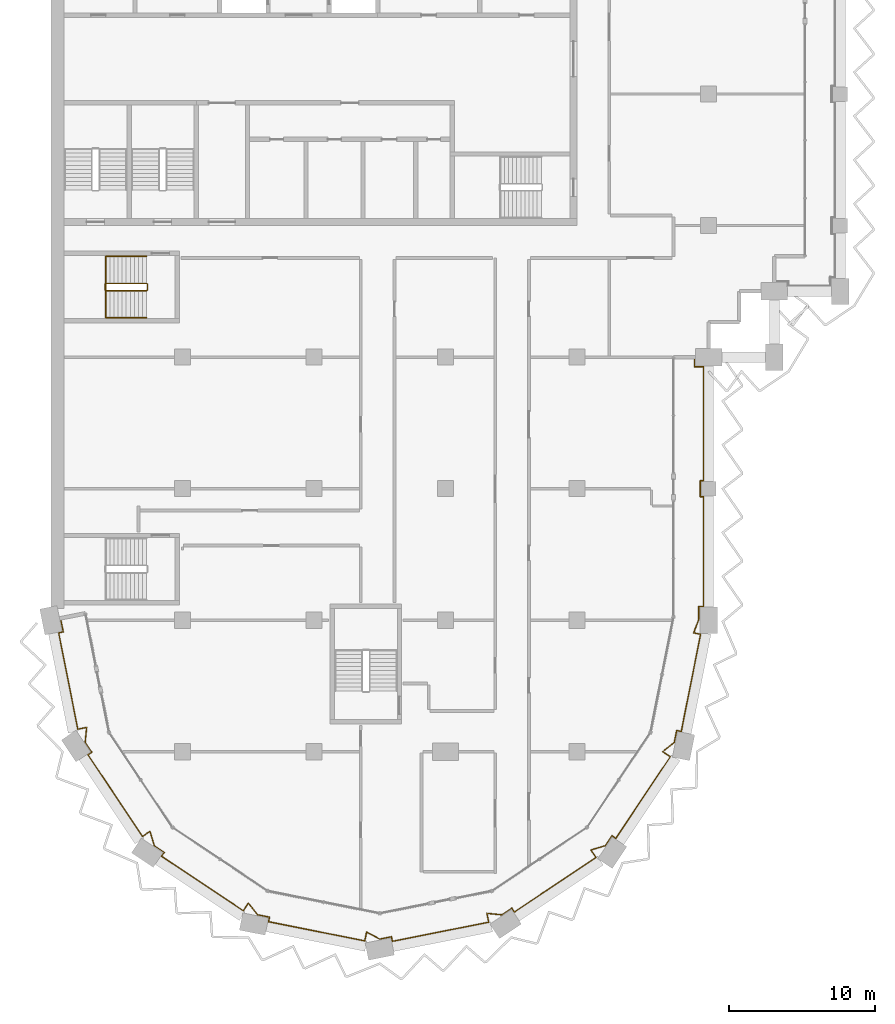
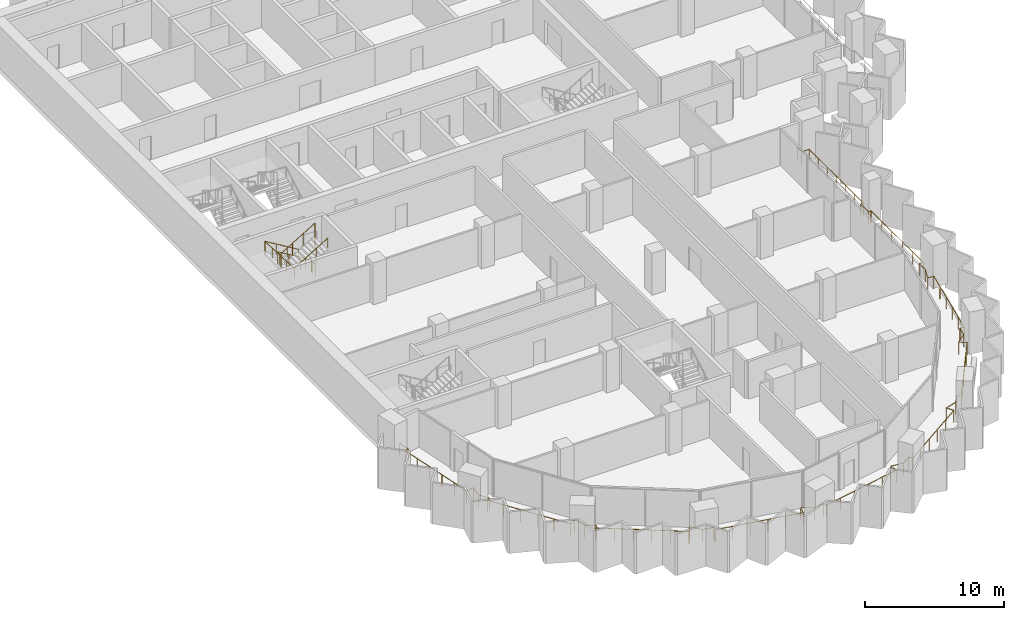
# One storey, part 15 of 17: 3 railings.
"""IFC4 building model written with IfcOpenShell, lengths in metres."""

from ifc_helpers import new_model, si_unit, direction, frame, origin, origin_2d, place, context, subcontext, project, spatial, circle, extrude, material, type_object, element, save


model = new_model("IFC4")

# Units and contexts
model_context = context("Model", 3, precision=1e-05, world=origin(), true_north=direction((0.0, 1.0)))
body_context = subcontext(model_context, "Body", "Model", "MODEL_VIEW")
ifc_project = project(units=[si_unit("LENGTHUNIT", "METRE"), si_unit("AREAUNIT", "SQUARE_METRE"), si_unit("VOLUMEUNIT", "CUBIC_METRE"), si_unit("PLANEANGLEUNIT", "RADIAN"), si_unit("MASSUNIT", "GRAM", prefix="KILO")], contexts=[model_context])

# Site, building, storey
site_placement = place(None, origin())
site = spatial("IfcSite", under=ifc_project, at=site_placement, CompositionType="ELEMENT")
building_placement = place(site_placement, origin())
building = spatial("IfcBuilding", under=site, at=building_placement, Name="Hunhe Ridgeline Campus", CompositionType="ELEMENT")
storey_placement = place(building_placement, frame((0.0, 0.0, 212.39990234375)))
storey = spatial("IfcBuildingStorey", under=building, at=storey_placement, Name="L54", CompositionType="ELEMENT", Elevation=212.39990234375)

# Railings
ifc_material_1 = material(Name="Steel Q355", Category="steel")
railing_type_1 = type_object("IfcRailingType", Name="Loggia guard 1100 Steel Q355", PredefinedType="GUARDRAIL", material=ifc_material_1)
railing_1_placement = place(storey_placement, frame((0.6572265625, 36.130615234375, 0.0)))
element("IfcRailing", 1, at=railing_1_placement, inside=storey, type_object=railing_type_1, Name="Loggia guard 1", PredefinedType="GUARDRAIL", context=body_context, shape_type="SweptSolid", body=[
    extrude(circle(Radius=0.02392578125, at=origin_2d()), frame((0.0, 0.0, 1.076171875), z_axis=(0.195078060519, -0.980787719287, 0.0), x_axis=(0.980787719287, 0.195078060519, 0.0)), (0.0, 0.0, 1.0), 0.949951171875),
    extrude(circle(Radius=0.02392578125, at=origin_2d()), frame((0.185302734375, -0.931640625, 1.076171875), z_axis=(-0.980756274917, -0.195236085831, 0.0), x_axis=(0.195236085831, -0.980756274917, 0.0)), (0.0, 0.0, 1.0), 0.320068359375),
    extrude(circle(Radius=0.02392578125, at=origin_2d()), frame((-0.128662109375, -0.994140625, 1.076171875), z_axis=(0.195081688297, -0.980786997717, 0.0), x_axis=(0.980786997717, 0.195081688297, 0.0)), (0.0, 0.0, 1.0), 6.718017578125),
    extrude(circle(Radius=0.02392578125, at=origin_2d()), frame((1.181884765625, -7.5830078125, 1.076171875), z_axis=(0.980747227858, 0.195281527671, 0.0), x_axis=(-0.195281527671, 0.980747227858, 0.0)), (0.0, 0.0, 1.0), 0.618896484375),
    extrude(circle(Radius=0.02392578125, at=origin_2d()), frame((1.788818359375, -7.462158203125, 1.076171875), z_axis=(-0.100047453171, -0.99498266674, 0.0), x_axis=(0.99498266674, -0.100047453171, 0.0)), (0.0, 0.0, 1.0), 1.0224609375),
    extrude(circle(Radius=0.02392578125, at=origin_2d()), frame((1.6865234375, -8.4794921875, 1.076171875), z_axis=(0.555596479569, -0.83145207432, 0.0), x_axis=(0.83145207432, 0.555596479569, 0.0)), (0.0, 0.0, 1.0), 0.81689453125),
    extrude(circle(Radius=0.02392578125, at=origin_2d()), frame((2.140380859375, -9.15869140625, 1.076171875), z_axis=(-0.831580508376, -0.555404229448, 0.0), x_axis=(0.555404229448, -0.831580508376, 0.0)), (0.0, 0.0, 1.0), 0.320068359375),
    extrude(circle(Radius=0.02392578125, at=origin_2d()), frame((1.874267578125, -9.33642578125, 1.076171875), z_axis=(0.555588848626, -0.831457173451, 0.0), x_axis=(0.831457173451, 0.555588848626, 0.0)), (0.0, 0.0, 1.0), 6.718017578125),
    extrude(circle(Radius=0.02392578125, at=origin_2d()), frame((5.606689453125, -14.922119140625, 1.076171875), z_axis=(0.831442704119, 0.555610501851, 0.0), x_axis=(-0.555610501851, 0.831442704119, 0.0)), (0.0, 0.0, 1.0), 0.61865234375),
    extrude(circle(Radius=0.02392578125, at=origin_2d()), frame((6.12109375, -14.578369140625, 1.076171875), z_axis=(0.28844300651, -0.957497066312, 0.0), x_axis=(0.957497066312, 0.28844300651, 0.0)), (0.0, 0.0, 1.0), 1.0224609375),
    extrude(circle(Radius=0.02392578125, at=origin_2d()), frame((6.416015625, -15.557373046875, 1.076171875), z_axis=(0.831359782977, -0.55573456906, 0.0), x_axis=(0.55573456906, 0.831359782977, 0.0)), (0.0, 0.0, 1.0), 0.816650390625),
    extrude(circle(Radius=0.02392578125, at=origin_2d()), frame((7.094970703125, -16.01123046875, 1.076171875), z_axis=(-0.555404229448, -0.831580508376, 0.0), x_axis=(0.831580508376, -0.555404229448, 0.0)), (0.0, 0.0, 1.0), 0.320068359375),
    extrude(circle(Radius=0.02392578125, at=origin_2d()), frame((6.917236328125, -16.27734375, 1.076171875), z_axis=(0.831473961305, -0.555563724222, 0.0), x_axis=(0.555563724222, 0.831473961305, 0.0)), (0.0, 0.0, 1.0), 6.7177734375),
    extrude(circle(Radius=0.02392578125, at=origin_2d()), frame((12.5029296875, -20.009521484375, 1.076171875), z_axis=(0.555610501851, 0.831442704119, 0.0), x_axis=(-0.831442704119, 0.555610501851, 0.0)), (0.0, 0.0, 1.0), 0.61865234375),
    extrude(circle(Radius=0.02392578125, at=origin_2d()), frame((12.8466796875, -19.4951171875, 1.076171875), z_axis=(0.63289971186, -0.774233785576, 0.0), x_axis=(0.774233785576, 0.63289971186, 0.0)), (0.0, 0.0, 1.0), 1.022705078125),
    extrude(circle(Radius=0.02392578125, at=origin_2d()), frame((13.493896484375, -20.286865234375, 1.076171875), z_axis=(0.980821383877, -0.194908729743, 0.0), x_axis=(0.194908729743, 0.980821383877, 0.0)), (0.0, 0.0, 1.0), 0.816650390625),
    extrude(circle(Radius=0.02392578125, at=origin_2d()), frame((14.294921875, -20.446044921875, 1.076171875), z_axis=(-0.195236085831, -0.980756274917, 0.0), x_axis=(0.980756274917, -0.195236085831, 0.0)), (0.0, 0.0, 1.0), 0.320068359375),
    extrude(circle(Radius=0.02392578125, at=origin_2d()), frame((14.232421875, -20.760009765625, 1.076171875), z_axis=(0.980786997717, -0.195081688297, 0.0), x_axis=(0.195081688297, 0.980786997717, 0.0)), (0.0, 0.0, 1.0), 6.718017578125),
    extrude(circle(Radius=0.02392578125, at=origin_2d()), frame((20.8212890625, -22.070556640625, 1.076171875), z_axis=(0.194902020226, 0.980822717168, 0.0), x_axis=(-0.980822717168, 0.194902020226, 0.0)), (0.0, 0.0, 1.0), 0.618896484375),
    extrude(circle(Radius=0.02392578125, at=origin_2d()), frame((20.94189453125, -21.463623046875, 1.076171875), z_axis=(0.880961256043, -0.473188403652, 0.0), x_axis=(0.473188403652, 0.880961256043, 0.0)), (0.0, 0.0, 1.0), 1.022705078125),
    extrude(circle(Radius=0.02392578125, at=origin_2d()), frame((21.8427734375, -21.947509765625, 1.076171875), z_axis=(0.980764196543, 0.195196287822, 0.0), x_axis=(-0.195196287822, 0.980764196543, 0.0)), (0.0, 0.0, 1.0), 0.816650390625),
    extrude(circle(Radius=0.02392578125, at=origin_2d()), frame((22.643798828125, -21.7880859375, 1.076171875), z_axis=(0.195236085831, -0.980756274917, 0.0), x_axis=(0.980756274917, 0.195236085831, 0.0)), (0.0, 0.0, 1.0), 0.320068359375),
    extrude(circle(Radius=0.02392578125, at=origin_2d()), frame((22.706298828125, -22.10205078125, 1.076171875), z_axis=(0.980786997717, 0.195081688297, 0.0), x_axis=(-0.195081688297, 0.980786997717, 0.0)), (0.0, 0.0, 1.0), 6.718017578125),
    extrude(circle(Radius=0.02392578125, at=origin_2d()), frame((29.295166015625, -20.79150390625, 1.076171875), z_axis=(-0.195281527671, 0.980747227858, 0.0), x_axis=(-0.980747227858, -0.195281527671, 0.0)), (0.0, 0.0, 1.0), 0.618896484375),
    extrude(circle(Radius=0.02392578125, at=origin_2d()), frame((29.17431640625, -20.1845703125, 1.076171875), z_axis=(0.99498266674, -0.100047453171, 0.0), x_axis=(0.100047453171, 0.99498266674, 0.0)), (0.0, 0.0, 1.0), 1.0224609375),
    extrude(circle(Radius=0.02392578125, at=origin_2d()), frame((30.191650390625, -20.286865234375, 1.076171875), z_axis=(0.83145207432, 0.555596479569, 0.0), x_axis=(-0.555596479569, 0.83145207432, 0.0)), (0.0, 0.0, 1.0), 0.81689453125),
    extrude(circle(Radius=0.02392578125, at=origin_2d()), frame((30.870849609375, -19.8330078125, 1.076171875), z_axis=(0.555404229448, -0.831580508376, 0.0), x_axis=(0.831580508376, 0.555404229448, 0.0)), (0.0, 0.0, 1.0), 0.320068359375),
    extrude(circle(Radius=0.02392578125, at=origin_2d()), frame((31.048583984375, -20.09912109375, 1.076171875), z_axis=(0.831457173451, 0.555588848626, 0.0), x_axis=(-0.555588848626, 0.831457173451, 0.0)), (0.0, 0.0, 1.0), 6.718017578125),
    extrude(circle(Radius=0.02392578125, at=origin_2d()), frame((36.63427734375, -16.36669921875, 1.076171875), z_axis=(-0.555610501851, 0.831442704119, 0.0), x_axis=(-0.831442704119, -0.555610501851, 0.0)), (0.0, 0.0, 1.0), 0.61865234375),
    extrude(circle(Radius=0.02392578125, at=origin_2d()), frame((36.29052734375, -15.852294921875, 1.076171875), z_axis=(0.957497066312, 0.28844300651, 0.0), x_axis=(-0.28844300651, 0.957497066312, 0.0)), (0.0, 0.0, 1.0), 1.0224609375),
    extrude(circle(Radius=0.02392578125, at=origin_2d()), frame((37.26953125, -15.557373046875, 1.076171875), z_axis=(0.55573456906, 0.831359782977, 0.0), x_axis=(-0.831359782977, 0.55573456906, 0.0)), (0.0, 0.0, 1.0), 0.816650390625),
    extrude(circle(Radius=0.02392578125, at=origin_2d()), frame((37.723388671875, -14.87841796875, 1.076171875), z_axis=(0.831580508376, -0.555404229448, 0.0), x_axis=(0.555404229448, 0.831580508376, 0.0)), (0.0, 0.0, 1.0), 0.320068359375),
    extrude(circle(Radius=0.02392578125, at=origin_2d()), frame((37.989501953125, -15.05615234375, 1.076171875), z_axis=(0.555563724222, 0.831473961305, 0.0), x_axis=(-0.831473961305, 0.555563724222, 0.0)), (0.0, 0.0, 1.0), 6.7177734375),
    extrude(circle(Radius=0.02392578125, at=origin_2d()), frame((41.7216796875, -9.470458984375, 1.076171875), z_axis=(-0.831442704119, 0.555610501851, 0.0), x_axis=(-0.555610501851, -0.831442704119, 0.0)), (0.0, 0.0, 1.0), 0.61865234375),
    extrude(circle(Radius=0.02392578125, at=origin_2d()), frame((41.207275390625, -9.126708984375, 1.076171875), z_axis=(0.774233785576, 0.63289971186, 0.0), x_axis=(-0.63289971186, 0.774233785576, 0.0)), (0.0, 0.0, 1.0), 1.022705078125),
    extrude(circle(Radius=0.02392578125, at=origin_2d()), frame((41.9990234375, -8.4794921875, 1.076171875), z_axis=(0.194908729743, 0.980821383877, 0.0), x_axis=(-0.980821383877, 0.194908729743, 0.0)), (0.0, 0.0, 1.0), 0.816650390625),
    extrude(circle(Radius=0.02392578125, at=origin_2d()), frame((42.158203125, -7.678466796875, 1.076171875), z_axis=(0.980756274917, -0.195236085831, 0.0), x_axis=(0.195236085831, 0.980756274917, 0.0)), (0.0, 0.0, 1.0), 0.320068359375),
    extrude(circle(Radius=0.02392578125, at=origin_2d()), frame((42.47216796875, -7.740966796875, 1.076171875), z_axis=(0.195084106665, 0.980786516693, 0.0), x_axis=(-0.980786516693, 0.195084106665, 0.0)), (0.0, 0.0, 1.0), 6.779296875),
    extrude(circle(Radius=0.02392578125, at=origin_2d()), frame((43.794677734375, -1.092041015625, 1.076171875), z_axis=(-0.980754922768, 0.195242878144, 0.0), x_axis=(-0.195242878144, -0.980754922768, 0.0)), (0.0, 0.0, 1.0), 0.48388671875),
    extrude(circle(Radius=0.02392578125, at=origin_2d()), frame((43.320068359375, -0.99755859375, 1.076171875), z_axis=(0.353724256779, 0.93534974751, 0.0), x_axis=(-0.93534974751, 0.353724256779, 0.0)), (0.0, 0.0, 1.0), 0.997314453125),
    extrude(circle(Radius=0.02392578125, at=origin_2d()), frame((43.6728515625, -0.064697265625, 1.076171875), z_axis=(0.0, 1.0, 0.0), x_axis=(-1.0, 0.0, 0.0)), (0.0, 0.0, 1.0), 0.884033203125),
    extrude(circle(Radius=0.02392578125, at=origin_2d()), frame((43.6728515625, 0.8193359375, 1.076171875), z_axis=(1.0, 0.0, 0.0), x_axis=(0.0, 1.0, 0.0)), (0.0, 0.0, 1.0), 0.31982421875),
    extrude(circle(Radius=0.02392578125, at=origin_2d()), frame((43.99267578125, 0.8193359375, 1.076171875), z_axis=(0.0, 1.0, 0.0), x_axis=(-1.0, 0.0, 0.0)), (0.0, 0.0, 1.0), 7.5),
    extrude(circle(Radius=0.02392578125, at=origin_2d()), frame((43.99267578125, 8.3193359375, 1.076171875), z_axis=(-1.0, 0.0, 0.0), x_axis=(0.0, -1.0, 0.0)), (0.0, 0.0, 1.0), 0.219970703125),
    extrude(circle(Radius=0.02392578125, at=origin_2d()), frame((43.772705078125, 8.3193359375, 1.076171875), z_axis=(0.0, 1.0, 0.0), x_axis=(-1.0, 0.0, 0.0)), (0.0, 0.0, 1.0), 1.10009765625),
    extrude(circle(Radius=0.02392578125, at=origin_2d()), frame((43.772705078125, 9.41943359375, 1.076171875), z_axis=(1.0, 0.0, 0.0), x_axis=(0.0, 1.0, 0.0)), (0.0, 0.0, 1.0), 0.219970703125),
    extrude(circle(Radius=0.02392578125, at=origin_2d()), frame((43.99267578125, 9.41943359375, 1.076171875), z_axis=(0.0, 1.0, 0.0), x_axis=(-1.0, 0.0, 0.0)), (0.0, 0.0, 1.0), 7.800048828125),
    extrude(circle(Radius=0.02392578125, at=origin_2d()), frame((43.99267578125, 17.219482421875, 1.076171875), z_axis=(-1.0, 0.0, 0.0), x_axis=(0.0, -1.0, 0.0)), (0.0, 0.0, 1.0), 0.619873046875),
    extrude(circle(Radius=0.02392578125, at=origin_2d()), frame((43.372802734375, 17.219482421875, 1.076171875), z_axis=(0.0, 1.0, 0.0), x_axis=(-1.0, 0.0, 0.0)), (0.0, 0.0, 1.0), 0.64990234375),
    extrude(circle(Radius=0.02099609375, at=origin_2d()), origin(), (0.0, 0.0, 1.0), 1.052001953125),
    extrude(circle(Radius=0.02099609375, at=origin_2d()), frame((0.185302734375, -0.931640625, 0.0)), (0.0, 0.0, 1.0), 1.052001953125),
    extrude(circle(Radius=0.02099609375, at=origin_2d()), frame((-0.128662109375, -0.994140625, 0.0)), (0.0, 0.0, 1.0), 1.052001953125),
    extrude(circle(Radius=0.02099609375, at=origin_2d()), frame((0.133544921875, -2.31201171875, 0.0)), (0.0, 0.0, 1.0), 1.052001953125),
    extrude(circle(Radius=0.02099609375, at=origin_2d()), frame((0.3955078125, -3.629638671875, 0.0)), (0.0, 0.0, 1.0), 1.052001953125),
    extrude(circle(Radius=0.02099609375, at=origin_2d()), frame((0.65771484375, -4.947509765625, 0.0)), (0.0, 0.0, 1.0), 1.052001953125),
    extrude(circle(Radius=0.02099609375, at=origin_2d()), frame((0.919677734375, -6.26513671875, 0.0)), (0.0, 0.0, 1.0), 1.052001953125),
    extrude(circle(Radius=0.02099609375, at=origin_2d()), frame((1.181884765625, -7.5830078125, 0.0)), (0.0, 0.0, 1.0), 1.052001953125),
    extrude(circle(Radius=0.02099609375, at=origin_2d()), frame((1.788818359375, -7.462158203125, 0.0)), (0.0, 0.0, 1.0), 1.052001953125),
    extrude(circle(Radius=0.02099609375, at=origin_2d()), frame((1.6865234375, -8.4794921875, 0.0)), (0.0, 0.0, 1.0), 1.052001953125),
    extrude(circle(Radius=0.02099609375, at=origin_2d()), frame((2.140380859375, -9.15869140625, 0.0)), (0.0, 0.0, 1.0), 1.052001953125),
    extrude(circle(Radius=0.02099609375, at=origin_2d()), frame((1.874267578125, -9.33642578125, 0.0)), (0.0, 0.0, 1.0), 1.052001953125),
    extrude(circle(Radius=0.02099609375, at=origin_2d()), frame((2.620849609375, -10.45361328125, 0.0)), (0.0, 0.0, 1.0), 1.052001953125),
    extrude(circle(Radius=0.02099609375, at=origin_2d()), frame((3.3671875, -11.57080078125, 0.0)), (0.0, 0.0, 1.0), 1.052001953125),
    extrude(circle(Radius=0.02099609375, at=origin_2d()), frame((4.11376953125, -12.687744140625, 0.0)), (0.0, 0.0, 1.0), 1.052001953125),
    extrude(circle(Radius=0.02099609375, at=origin_2d()), frame((4.860107421875, -13.804931640625, 0.0)), (0.0, 0.0, 1.0), 1.052001953125),
    extrude(circle(Radius=0.02099609375, at=origin_2d()), frame((5.606689453125, -14.922119140625, 0.0)), (0.0, 0.0, 1.0), 1.052001953125),
    extrude(circle(Radius=0.02099609375, at=origin_2d()), frame((6.12109375, -14.578369140625, 0.0)), (0.0, 0.0, 1.0), 1.052001953125),
    extrude(circle(Radius=0.02099609375, at=origin_2d()), frame((6.416015625, -15.557373046875, 0.0)), (0.0, 0.0, 1.0), 1.052001953125),
    extrude(circle(Radius=0.02099609375, at=origin_2d()), frame((7.094970703125, -16.01123046875, 0.0)), (0.0, 0.0, 1.0), 1.052001953125),
    extrude(circle(Radius=0.02099609375, at=origin_2d()), frame((6.917236328125, -16.27734375, 0.0)), (0.0, 0.0, 1.0), 1.052001953125),
    extrude(circle(Radius=0.02099609375, at=origin_2d()), frame((8.034423828125, -17.023681640625, 0.0)), (0.0, 0.0, 1.0), 1.052001953125),
    extrude(circle(Radius=0.02099609375, at=origin_2d()), frame((9.151611328125, -17.770263671875, 0.0)), (0.0, 0.0, 1.0), 1.052001953125),
    extrude(circle(Radius=0.02099609375, at=origin_2d()), frame((10.2685546875, -18.5166015625, 0.0)), (0.0, 0.0, 1.0), 1.052001953125),
    extrude(circle(Radius=0.02099609375, at=origin_2d()), frame((11.3857421875, -19.26318359375, 0.0)), (0.0, 0.0, 1.0), 1.052001953125),
    extrude(circle(Radius=0.02099609375, at=origin_2d()), frame((12.5029296875, -20.009521484375, 0.0)), (0.0, 0.0, 1.0), 1.052001953125),
    extrude(circle(Radius=0.02099609375, at=origin_2d()), frame((12.8466796875, -19.4951171875, 0.0)), (0.0, 0.0, 1.0), 1.052001953125),
    extrude(circle(Radius=0.02099609375, at=origin_2d()), frame((13.493896484375, -20.286865234375, 0.0)), (0.0, 0.0, 1.0), 1.052001953125),
    extrude(circle(Radius=0.02099609375, at=origin_2d()), frame((14.294921875, -20.446044921875, 0.0)), (0.0, 0.0, 1.0), 1.052001953125),
    extrude(circle(Radius=0.02099609375, at=origin_2d()), frame((14.232421875, -20.760009765625, 0.0)), (0.0, 0.0, 1.0), 1.052001953125),
    extrude(circle(Radius=0.02099609375, at=origin_2d()), frame((15.55029296875, -21.022216796875, 0.0)), (0.0, 0.0, 1.0), 1.052001953125),
    extrude(circle(Radius=0.02099609375, at=origin_2d()), frame((16.867919921875, -21.2841796875, 0.0)), (0.0, 0.0, 1.0), 1.052001953125),
    extrude(circle(Radius=0.02099609375, at=origin_2d()), frame((18.185791015625, -21.54638671875, 0.0)), (0.0, 0.0, 1.0), 1.052001953125),
    extrude(circle(Radius=0.02099609375, at=origin_2d()), frame((19.50341796875, -21.808349609375, 0.0)), (0.0, 0.0, 1.0), 1.052001953125),
    extrude(circle(Radius=0.02099609375, at=origin_2d()), frame((20.8212890625, -22.070556640625, 0.0)), (0.0, 0.0, 1.0), 1.052001953125),
    extrude(circle(Radius=0.02099609375, at=origin_2d()), frame((20.94189453125, -21.463623046875, 0.0)), (0.0, 0.0, 1.0), 1.052001953125),
    extrude(circle(Radius=0.02099609375, at=origin_2d()), frame((21.8427734375, -21.947509765625, 0.0)), (0.0, 0.0, 1.0), 1.052001953125),
    extrude(circle(Radius=0.02099609375, at=origin_2d()), frame((22.643798828125, -21.7880859375, 0.0)), (0.0, 0.0, 1.0), 1.052001953125),
    extrude(circle(Radius=0.02099609375, at=origin_2d()), frame((22.706298828125, -22.10205078125, 0.0)), (0.0, 0.0, 1.0), 1.052001953125),
    extrude(circle(Radius=0.02099609375, at=origin_2d()), frame((24.024169921875, -21.83984375, 0.0)), (0.0, 0.0, 1.0), 1.052001953125),
    extrude(circle(Radius=0.02099609375, at=origin_2d()), frame((25.341796875, -21.577880859375, 0.0)), (0.0, 0.0, 1.0), 1.052001953125),
    extrude(circle(Radius=0.02099609375, at=origin_2d()), frame((26.65966796875, -21.315673828125, 0.0)), (0.0, 0.0, 1.0), 1.052001953125),
    extrude(circle(Radius=0.02099609375, at=origin_2d()), frame((27.977294921875, -21.0537109375, 0.0)), (0.0, 0.0, 1.0), 1.052001953125),
    extrude(circle(Radius=0.02099609375, at=origin_2d()), frame((29.295166015625, -20.79150390625, 0.0)), (0.0, 0.0, 1.0), 1.052001953125),
    extrude(circle(Radius=0.02099609375, at=origin_2d()), frame((29.17431640625, -20.1845703125, 0.0)), (0.0, 0.0, 1.0), 1.052001953125),
    extrude(circle(Radius=0.02099609375, at=origin_2d()), frame((30.191650390625, -20.286865234375, 0.0)), (0.0, 0.0, 1.0), 1.052001953125),
    extrude(circle(Radius=0.02099609375, at=origin_2d()), frame((30.870849609375, -19.8330078125, 0.0)), (0.0, 0.0, 1.0), 1.052001953125),
    extrude(circle(Radius=0.02099609375, at=origin_2d()), frame((31.048583984375, -20.09912109375, 0.0)), (0.0, 0.0, 1.0), 1.052001953125),
    extrude(circle(Radius=0.02099609375, at=origin_2d()), frame((32.165771484375, -19.3525390625, 0.0)), (0.0, 0.0, 1.0), 1.052001953125),
    extrude(circle(Radius=0.02099609375, at=origin_2d()), frame((33.282958984375, -18.606201171875, 0.0)), (0.0, 0.0, 1.0), 1.052001953125),
    extrude(circle(Radius=0.02099609375, at=origin_2d()), frame((34.39990234375, -17.859619140625, 0.0)), (0.0, 0.0, 1.0), 1.052001953125),
    extrude(circle(Radius=0.02099609375, at=origin_2d()), frame((35.51708984375, -17.11328125, 0.0)), (0.0, 0.0, 1.0), 1.052001953125),
    extrude(circle(Radius=0.02099609375, at=origin_2d()), frame((36.63427734375, -16.36669921875, 0.0)), (0.0, 0.0, 1.0), 1.052001953125),
    extrude(circle(Radius=0.02099609375, at=origin_2d()), frame((36.29052734375, -15.852294921875, 0.0)), (0.0, 0.0, 1.0), 1.052001953125),
    extrude(circle(Radius=0.02099609375, at=origin_2d()), frame((37.26953125, -15.557373046875, 0.0)), (0.0, 0.0, 1.0), 1.052001953125),
    extrude(circle(Radius=0.02099609375, at=origin_2d()), frame((37.723388671875, -14.87841796875, 0.0)), (0.0, 0.0, 1.0), 1.052001953125),
    extrude(circle(Radius=0.02099609375, at=origin_2d()), frame((37.989501953125, -15.05615234375, 0.0)), (0.0, 0.0, 1.0), 1.052001953125),
    extrude(circle(Radius=0.02099609375, at=origin_2d()), frame((38.73583984375, -13.93896484375, 0.0)), (0.0, 0.0, 1.0), 1.052001953125),
    extrude(circle(Radius=0.02099609375, at=origin_2d()), frame((39.482421875, -12.82177734375, 0.0)), (0.0, 0.0, 1.0), 1.052001953125),
    extrude(circle(Radius=0.02099609375, at=origin_2d()), frame((40.228759765625, -11.704833984375, 0.0)), (0.0, 0.0, 1.0), 1.052001953125),
    extrude(circle(Radius=0.02099609375, at=origin_2d()), frame((40.975341796875, -10.587646484375, 0.0)), (0.0, 0.0, 1.0), 1.052001953125),
    extrude(circle(Radius=0.02099609375, at=origin_2d()), frame((41.7216796875, -9.470458984375, 0.0)), (0.0, 0.0, 1.0), 1.052001953125),
    extrude(circle(Radius=0.02099609375, at=origin_2d()), frame((41.207275390625, -9.126708984375, 0.0)), (0.0, 0.0, 1.0), 1.052001953125),
    extrude(circle(Radius=0.02099609375, at=origin_2d()), frame((41.9990234375, -8.4794921875, 0.0)), (0.0, 0.0, 1.0), 1.052001953125),
    extrude(circle(Radius=0.02099609375, at=origin_2d()), frame((42.158203125, -7.678466796875, 0.0)), (0.0, 0.0, 1.0), 1.052001953125),
    extrude(circle(Radius=0.02099609375, at=origin_2d()), frame((42.47216796875, -7.740966796875, 0.0)), (0.0, 0.0, 1.0), 1.052001953125),
    extrude(circle(Radius=0.02099609375, at=origin_2d()), frame((42.736572265625, -6.4111328125, 0.0)), (0.0, 0.0, 1.0), 1.052001953125),
    extrude(circle(Radius=0.02099609375, at=origin_2d()), frame((43.001220703125, -5.081298828125, 0.0)), (0.0, 0.0, 1.0), 1.052001953125),
    extrude(circle(Radius=0.02099609375, at=origin_2d()), frame((43.265625, -3.751708984375, 0.0)), (0.0, 0.0, 1.0), 1.052001953125),
    extrude(circle(Radius=0.02099609375, at=origin_2d()), frame((43.5302734375, -2.421875, 0.0)), (0.0, 0.0, 1.0), 1.052001953125),
    extrude(circle(Radius=0.02099609375, at=origin_2d()), frame((43.794677734375, -1.092041015625, 0.0)), (0.0, 0.0, 1.0), 1.052001953125),
    extrude(circle(Radius=0.02099609375, at=origin_2d()), frame((43.320068359375, -0.99755859375, 0.0)), (0.0, 0.0, 1.0), 1.052001953125),
    extrude(circle(Radius=0.02099609375, at=origin_2d()), frame((43.6728515625, -0.064697265625, 0.0)), (0.0, 0.0, 1.0), 1.052001953125),
    extrude(circle(Radius=0.02099609375, at=origin_2d()), frame((43.6728515625, 0.8193359375, 0.0)), (0.0, 0.0, 1.0), 1.052001953125),
    extrude(circle(Radius=0.02099609375, at=origin_2d()), frame((43.99267578125, 0.8193359375, 0.0)), (0.0, 0.0, 1.0), 1.052001953125),
    extrude(circle(Radius=0.02099609375, at=origin_2d()), frame((43.99267578125, 2.3193359375, 0.0)), (0.0, 0.0, 1.0), 1.052001953125),
    extrude(circle(Radius=0.02099609375, at=origin_2d()), frame((43.99267578125, 3.8193359375, 0.0)), (0.0, 0.0, 1.0), 1.052001953125),
    extrude(circle(Radius=0.02099609375, at=origin_2d()), frame((43.99267578125, 5.3193359375, 0.0)), (0.0, 0.0, 1.0), 1.052001953125),
    extrude(circle(Radius=0.02099609375, at=origin_2d()), frame((43.99267578125, 6.8193359375, 0.0)), (0.0, 0.0, 1.0), 1.052001953125),
    extrude(circle(Radius=0.02099609375, at=origin_2d()), frame((43.99267578125, 8.3193359375, 0.0)), (0.0, 0.0, 1.0), 1.052001953125),
    extrude(circle(Radius=0.02099609375, at=origin_2d()), frame((43.772705078125, 8.3193359375, 0.0)), (0.0, 0.0, 1.0), 1.052001953125),
    extrude(circle(Radius=0.02099609375, at=origin_2d()), frame((43.772705078125, 9.41943359375, 0.0)), (0.0, 0.0, 1.0), 1.052001953125),
    extrude(circle(Radius=0.02099609375, at=origin_2d()), frame((43.99267578125, 9.41943359375, 0.0)), (0.0, 0.0, 1.0), 1.052001953125),
    extrude(circle(Radius=0.02099609375, at=origin_2d()), frame((43.99267578125, 10.719482421875, 0.0)), (0.0, 0.0, 1.0), 1.052001953125),
    extrude(circle(Radius=0.02099609375, at=origin_2d()), frame((43.99267578125, 12.01953125, 0.0)), (0.0, 0.0, 1.0), 1.052001953125),
    extrude(circle(Radius=0.02099609375, at=origin_2d()), frame((43.99267578125, 13.3193359375, 0.0)), (0.0, 0.0, 1.0), 1.052001953125),
    extrude(circle(Radius=0.02099609375, at=origin_2d()), frame((43.99267578125, 14.619384765625, 0.0)), (0.0, 0.0, 1.0), 1.052001953125),
    extrude(circle(Radius=0.02099609375, at=origin_2d()), frame((43.99267578125, 15.91943359375, 0.0)), (0.0, 0.0, 1.0), 1.052001953125),
    extrude(circle(Radius=0.02099609375, at=origin_2d()), frame((43.99267578125, 17.219482421875, 0.0)), (0.0, 0.0, 1.0), 1.052001953125),
    extrude(circle(Radius=0.02099609375, at=origin_2d()), frame((43.372802734375, 17.219482421875, 0.0)), (0.0, 0.0, 1.0), 1.052001953125),
    extrude(circle(Radius=0.02099609375, at=origin_2d()), frame((43.372802734375, 17.869384765625, 0.0)), (0.0, 0.0, 1.0), 1.052001953125),
])
ifc_material_2 = material(Name="Stainless steel balustrade", Category="steel")
railing_type_2 = type_object("IfcRailingType", Name="Stair guard 1100 stainless", PredefinedType="GUARDRAIL", material=ifc_material_2)
railing_2_placement = place(storey_placement, frame((6.550048828125, 59.050048828125, 0.168212890625)))
element("IfcRailing", 2, at=railing_2_placement, inside=storey, type_object=railing_type_2, Name="L54 stair W2 guard", PredefinedType="GUARDRAIL", context=body_context, shape_type="SweptSolid", body=[
    extrude(circle(Radius=0.02392578125, at=origin_2d()), frame((0.0, 0.0, 1.076171875), z_axis=(-0.857242210791, 0.0, 0.514913383045), x_axis=(0.0, -1.0, 0.0)), (0.0, 0.0, 1.0), 3.266357421875),
    extrude(circle(Radius=0.02392578125, at=origin_2d()), frame((-2.800048828125, 0.0, 2.7578125), z_axis=(-0.707106781187, -0.707106781187, 0.0), x_axis=(0.707106781187, -0.707106781187, 0.0)), (0.0, 0.0, 1.0), 0.07080078125),
    extrude(circle(Radius=0.02392578125, at=origin_2d()), frame((-2.85009765625, -0.050048828125, 2.7578125), z_axis=(0.0, -1.0, 0.0), x_axis=(1.0, 0.0, 0.0)), (0.0, 0.0, 1.0), 0.39990234375),
    extrude(circle(Radius=0.02392578125, at=origin_2d()), frame((-2.85009765625, -0.449951171875, 2.7578125), z_axis=(0.274243871929, -0.274243871929, 0.92172696468), x_axis=(0.707106781187, 0.707106781187, 0.0)), (0.0, 0.0, 1.0), 0.1826171875),
    extrude(circle(Radius=0.02392578125, at=origin_2d()), frame((-2.800048828125, -0.5, 2.92626953125), z_axis=(0.857242210791, 0.0, 0.514913383045), x_axis=(0.0, 1.0, 0.0)), (0.0, 0.0, 1.0), 3.266357421875),
    extrude(circle(Radius=0.02392578125, at=origin_2d()), frame((0.0, -0.5, 4.60791015625), z_axis=(0.013523522368, 0.013523522368, -0.999817097616), x_axis=(-0.707106781187, 0.707106781187, 0.0)), (0.0, 0.0, 1.0), 3.700927734375),
    extrude(circle(Radius=0.02392578125, at=origin_2d()), frame((0.050048828125, -0.449951171875, 0.90771484375), z_axis=(0.0, 1.0, 0.0), x_axis=(-1.0, 0.0, 0.0)), (0.0, 0.0, 1.0), 0.39990234375),
    extrude(circle(Radius=0.02099609375, at=origin_2d()), origin(), (0.0, 0.0, 1.0), 1.052001953125),
    extrude(circle(Radius=0.02099609375, at=origin_2d()), frame((-0.933349609375, 0.0, 0.560546875)), (0.0, 0.0, 1.0), 1.052001953125),
    extrude(circle(Radius=0.02099609375, at=origin_2d()), frame((-1.86669921875, 0.0, 1.121337890625)), (0.0, 0.0, 1.0), 1.052001953125),
    extrude(circle(Radius=0.02099609375, at=origin_2d()), frame((-2.800048828125, 0.0, 1.681884765625)), (0.0, 0.0, 1.0), 1.052001953125),
    extrude(circle(Radius=0.02099609375, at=origin_2d()), frame((-2.85009765625, -0.050048828125, 1.681884765625)), (0.0, 0.0, 1.0), 1.052001953125),
    extrude(circle(Radius=0.02099609375, at=origin_2d()), frame((-2.85009765625, -0.449951171875, 1.681884765625)), (0.0, 0.0, 1.0), 1.052001953125),
    extrude(circle(Radius=0.02099609375, at=origin_2d()), frame((-2.800048828125, -0.5, 1.85009765625)), (0.0, 0.0, 1.0), 1.052001953125),
    extrude(circle(Radius=0.02099609375, at=origin_2d()), frame((-1.86669921875, -0.5, 2.41064453125)), (0.0, 0.0, 1.0), 1.052001953125),
    extrude(circle(Radius=0.02099609375, at=origin_2d()), frame((-0.933349609375, -0.5, 2.971435546875)), (0.0, 0.0, 1.0), 1.052001953125),
    extrude(circle(Radius=0.02099609375, at=origin_2d()), frame((0.0, -0.5, 3.531982421875)), (0.0, 0.0, 1.0), 1.052001953125),
    extrude(circle(Radius=0.02099609375, at=origin_2d()), frame((0.012451171875, -0.487548828125, 2.60693359375)), (0.0, 0.0, 1.0), 1.052001953125),
    extrude(circle(Radius=0.02099609375, at=origin_2d()), frame((0.02490234375, -0.47509765625, 1.681884765625)), (0.0, 0.0, 1.0), 1.052001953125),
    extrude(circle(Radius=0.02099609375, at=origin_2d()), frame((0.03759765625, -0.46240234375, 0.7568359375)), (0.0, 0.0, 1.0), 1.052001953125),
    extrude(circle(Radius=0.02099609375, at=origin_2d()), frame((0.050048828125, -0.449951171875, -0.168212890625)), (0.0, 0.0, 1.0), 1.052001953125),
    extrude(circle(Radius=0.02099609375, at=origin_2d()), frame((0.050048828125, -0.050048828125, -0.168212890625)), (0.0, 0.0, 1.0), 1.052001953125),
])
ifc_material_3 = material(Name="Stainless steel handrail", Category="steel")
railing_type_3 = type_object("IfcRailingType", Name="Stair handrail 900 stainless", PredefinedType="HANDRAIL", material=ifc_material_3)
railing_3_placement = place(storey_placement, frame((6.550048828125, 60.89990234375, 0.168212890625)))
element("IfcRailing", 3, at=railing_3_placement, inside=storey, type_object=railing_type_3, Name="L54 stair W2 handrail", PredefinedType="HANDRAIL", context=body_context, shape_type="SweptSolid", body=[
    extrude(circle(Radius=0.02392578125, at=origin_2d()), frame((0.0, 0.0, 0.8759765625), z_axis=(-0.857242210791, 0.0, 0.514913383045), x_axis=(0.0, -1.0, 0.0)), (0.0, 0.0, 1.0), 3.266357421875),
    extrude(circle(Radius=0.02392578125, at=origin_2d()), frame((-2.800048828125, 0.0, 2.5576171875), z_axis=(0.0, -0.999198916169, 0.040019069537), x_axis=(1.0, 0.0, 0.0)), (0.0, 0.0, 1.0), 4.203369140625),
    extrude(circle(Radius=0.02392578125, at=origin_2d()), frame((-2.800048828125, -4.199951171875, 2.72607421875), z_axis=(0.857242210791, 0.0, 0.514913383045), x_axis=(0.0, 1.0, 0.0)), (0.0, 0.0, 1.0), 3.266357421875),
    extrude(circle(Radius=0.02099609375, at=origin_2d()), origin(), (0.0, 0.0, 1.0), 0.851806640625),
    extrude(circle(Radius=0.02099609375, at=origin_2d()), frame((-0.933349609375, 0.0, 0.560546875)), (0.0, 0.0, 1.0), 0.851806640625),
    extrude(circle(Radius=0.02099609375, at=origin_2d()), frame((-1.86669921875, 0.0, 1.121337890625)), (0.0, 0.0, 1.0), 0.851806640625),
    extrude(circle(Radius=0.02099609375, at=origin_2d()), frame((-2.800048828125, 0.0, 1.681884765625)), (0.0, 0.0, 1.0), 0.851806640625),
    extrude(circle(Radius=0.02099609375, at=origin_2d()), frame((-2.800048828125, -1.050048828125, 1.723876953125)), (0.0, 0.0, 1.0), 0.851806640625),
    extrude(circle(Radius=0.02099609375, at=origin_2d()), frame((-2.800048828125, -2.10009765625, 1.76611328125)), (0.0, 0.0, 1.0), 0.851806640625),
    extrude(circle(Radius=0.02099609375, at=origin_2d()), frame((-2.800048828125, -3.14990234375, 1.80810546875)), (0.0, 0.0, 1.0), 0.851806640625),
    extrude(circle(Radius=0.02099609375, at=origin_2d()), frame((-2.800048828125, -4.199951171875, 1.85009765625)), (0.0, 0.0, 1.0), 0.851806640625),
    extrude(circle(Radius=0.02099609375, at=origin_2d()), frame((-1.86669921875, -4.199951171875, 2.41064453125)), (0.0, 0.0, 1.0), 0.851806640625),
    extrude(circle(Radius=0.02099609375, at=origin_2d()), frame((-0.933349609375, -4.199951171875, 2.971435546875)), (0.0, 0.0, 1.0), 0.851806640625),
    extrude(circle(Radius=0.02099609375, at=origin_2d()), frame((0.0, -4.199951171875, 3.531982421875)), (0.0, 0.0, 1.0), 0.851806640625),
])

save(model, "model.ifc")
